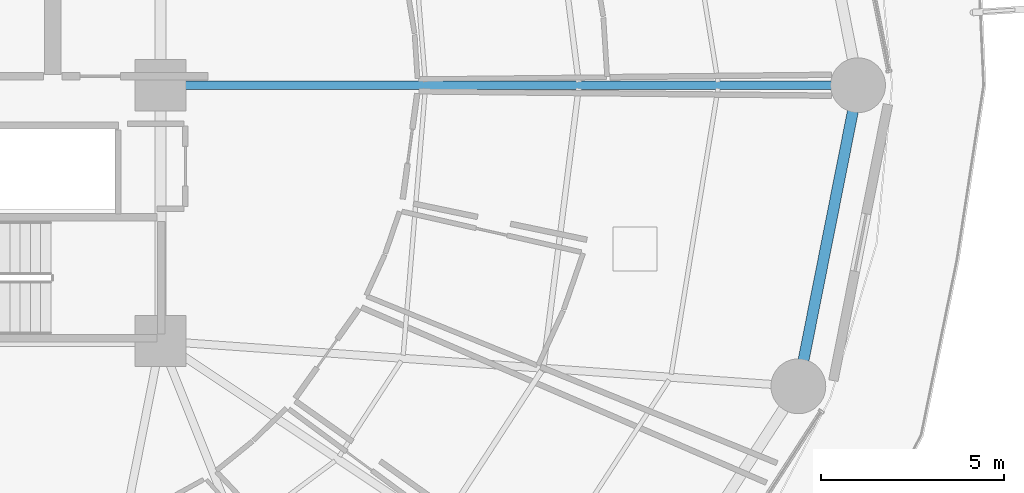
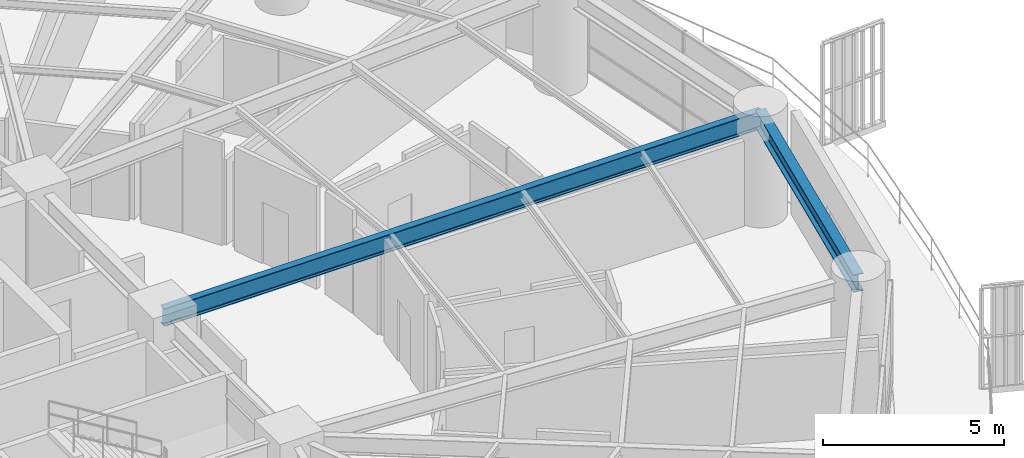
# One storey, part 13 of 33: 2 beams.
"""IFC4 building model written with IfcOpenShell, lengths in metres."""

import ifcopenshell
import ifcopenshell.guid

model = None  # the IFC model being written
_history = None  # IfcOwnerHistory: only IFC2X3 demands one
_inside = {}  # id of a spatial element -> (the spatial element, [elements in it])
_under = {}  # id of a project, library or spatial element -> (it, [spatial elements below it])
_declared = {}  # id of a project -> (the project, [libraries it declares])
_typed = {}  # id of a type object -> (the type object, [elements of that type])
_made_of = {}  # id of a material, layer set ... -> (it, [elements and type objects made of it])


def new_model(schema):
    """Start an empty IFC model of exactly this schema.

    Asked for "IFC4X3", IfcOpenShell would pick the latest addendum, in which some entities
    have other attributes; the version numbers below select the first issue.
    IFC2X3 requires an IfcOwnerHistory on every rooted entity: one is made here for all.
    """
    global model, _history
    if schema == "IFC4X3":
        model = ifcopenshell.file(schema_version=(4, 3, 0, 0))
    else:
        model = ifcopenshell.file(schema=schema)
    _inside.clear()
    _under.clear()
    _declared.clear()
    _typed.clear()
    _made_of.clear()
    _history = None
    if model.schema == "IFC2X3":
        org = make("IfcOrganization", Name="unknown")
        user = make(
            "IfcPersonAndOrganization",
            ThePerson=make("IfcPerson", FamilyName="unknown"),
            TheOrganization=org,
        )
        app = make(
            "IfcApplication",
            ApplicationDeveloper=org,
            Version="unknown",
            ApplicationFullName="unknown",
            ApplicationIdentifier="unknown",
        )
        _history = make(
            "IfcOwnerHistory",
            OwningUser=user,
            OwningApplication=app,
            ChangeAction="ADDED",
            CreationDate=0,
        )
    return model


def make(cls, **values):
    """One entity of the class cls with the attributes given. An attribute that is None is left unset."""
    return model.create_entity(
        cls, **{name: value for name, value in values.items() if value is not None}
    )


def rooted(cls, **values):
    """An entity with a GlobalId (a new one), such as an element, a storey or a relation."""
    return make(cls, GlobalId=ifcopenshell.guid.new(), OwnerHistory=_history, **values)


def si_unit(unit_type, name, prefix=None):
    """IfcSIUnit, for example si_unit("LENGTHUNIT", "METRE", prefix="MILLI")."""
    return make("IfcSIUnit", UnitType=unit_type, Prefix=prefix, Name=name)


def assignment(units):
    """IfcUnitAssignment: the units of a project."""
    return None if units is None else make("IfcUnitAssignment", Units=units)


def point(xyz):
    """IfcCartesianPoint."""
    return None if xyz is None else make("IfcCartesianPoint", Coordinates=xyz)


def direction(xyz):
    """IfcDirection."""
    return None if xyz is None else make("IfcDirection", DirectionRatios=xyz)


def frame(location, z_axis=None, x_axis=None):
    """IfcAxis2Placement3D, a coordinate frame: its origin and axes. An axis left out is left unset."""
    return make(
        "IfcAxis2Placement3D",
        Location=point(location),
        Axis=direction(z_axis),
        RefDirection=direction(x_axis),
    )


def frame_2d(location, x_axis=None):
    """IfcAxis2Placement2D, a coordinate frame in the plane: its origin and x axis."""
    return make(
        "IfcAxis2Placement2D", Location=point(location), RefDirection=direction(x_axis)
    )


def origin():
    """The frame at (0, 0, 0) with its axes left unset."""
    return frame((0.0, 0.0, 0.0))


def origin_2d():
    """The frame at (0, 0) in the plane with its x axis left unset."""
    return frame_2d((0.0, 0.0))


def place(relative_to, where):
    """IfcLocalPlacement: puts the frame where relative to a parent placement (None: the world)."""
    return make(
        "IfcLocalPlacement", PlacementRelTo=relative_to, RelativePlacement=where
    )


def context(
    kind, dimensions, precision=None, world=None, true_north=None, identifier=None
):
    """IfcGeometricRepresentationContext, for example the 3D "Model" context."""
    return make(
        "IfcGeometricRepresentationContext",
        ContextIdentifier=identifier,
        ContextType=kind,
        CoordinateSpaceDimension=dimensions,
        Precision=precision,
        WorldCoordinateSystem=world,
        TrueNorth=true_north,
    )


def subcontext(parent, identifier, kind, view, scale=None):
    """IfcGeometricRepresentationSubContext, for example "Body" below "Model"."""
    return make(
        "IfcGeometricRepresentationSubContext",
        ContextIdentifier=identifier,
        ContextType=kind,
        ParentContext=parent,
        TargetScale=scale,
        TargetView=view,
    )


def project(units=None, contexts=None):
    """IfcProject with its units and contexts."""
    return rooted(
        "IfcProject",
        Name="project",
        RepresentationContexts=contexts,
        UnitsInContext=assignment(units),
    )


def spatial(cls, under=None, at=None, **own):
    """A site, building, storey or space (cls), placed at a placement, below another one or the project."""
    s = rooted(cls, ObjectPlacement=at, **own)
    if under is not None:
        _under.setdefault(under.id(), (under, []))[1].append(s)
    return s


def profile(cls, at=None, kind="AREA", **sizes):
    """A parametric profile (cls). Its sizes go by their IFC names, for example OverallWidth=200.0."""
    return make(cls, ProfileType=kind, Position=at, **sizes)


def i_section(**sizes):
    """IfcIShapeProfileDef."""
    return profile("IfcIShapeProfileDef", **sizes)


def extrude(swept, where, along, depth):
    """IfcExtrudedAreaSolid: the profile swept, set in the frame where, extruded along a direction by depth."""
    return make(
        "IfcExtrudedAreaSolid",
        SweptArea=swept,
        Position=where,
        ExtrudedDirection=direction(along),
        Depth=depth,
    )


def shape(context_of_items, identifier, shape_type, items):
    """IfcShapeRepresentation: the items that make up one representation, for example the "Body"."""
    return make(
        "IfcShapeRepresentation",
        ContextOfItems=context_of_items,
        RepresentationIdentifier=identifier,
        RepresentationType=shape_type,
        Items=items,
    )


def material(Name=None, Category=None):
    """IfcMaterial."""
    return make("IfcMaterial", Name=Name, Category=Category)


def material_profile(
    of_material, cross_section, Name=None, Category=None, Priority=None
):
    """IfcMaterialProfile: a cross section and its material."""
    return make(
        "IfcMaterialProfile",
        Name=Name,
        Material=of_material,
        Profile=cross_section,
        Priority=Priority,
        Category=Category,
    )


def profile_set(profiles, Name=None, composite=None):
    """IfcMaterialProfileSet."""
    return make(
        "IfcMaterialProfileSet",
        Name=Name,
        MaterialProfiles=profiles,
        CompositeProfile=composite,
    )


def made_of(thing, what):
    """Note that an element or type object is made of a material, layer set ...; save() writes the relation."""
    if what is not None:
        _made_of.setdefault(what.id(), (what, []))[1].append(thing)
    return thing


def type_object(cls, material=None, **own):
    """A type object (cls), such as IfcWallType, which elements share."""
    return made_of(rooted(cls, **own), material)


def element(
    cls,
    number,
    at=None,
    inside=None,
    cuts=None,
    type_object=None,
    material=None,
    context=None,
    identifier="Body",
    shape_type=None,
    held_by="IfcProductDefinitionShape",
    body=None,
    shapes=None,
    **own,
):
    """One element of the class cls, such as IfcWall. Its Tag is "e" and its number.

    at: its placement. inside: the storey or other place that contains it. cuts: it is an
    opening in that element (IfcRelVoidsElement). A single representation is given by context,
    identifier, shape_type and body (its items); several are given by shapes. held_by: the class
    of the entity that holds the representations. save() writes the other relations.
    """
    e = rooted(cls, Tag="e%d" % number, ObjectPlacement=at, **own)
    if body is not None:
        shapes = [shape(context, identifier, shape_type, body)]
    if shapes is not None:
        e.Representation = make(held_by, Representations=shapes)
    if inside is not None:
        _inside.setdefault(inside.id(), (inside, []))[1].append(e)
    if cuts is not None:
        rooted(
            "IfcRelVoidsElement", RelatingBuildingElement=cuts, RelatedOpeningElement=e
        )
    if type_object is not None:
        _typed.setdefault(type_object.id(), (type_object, []))[1].append(e)
    return made_of(e, material)


def aggregate(whole, parts):
    """IfcRelAggregates: a whole, such as a stair, and the parts it consists of."""
    return rooted("IfcRelAggregates", RelatingObject=whole, RelatedObjects=parts)


def save(model, path):
    """Write the relations noted so far, then the file.

    IfcRelAggregates (storeys below a building ...), IfcRelContainedInSpatialStructure (elements
    in a storey), IfcRelDefinesByType, IfcRelAssociatesMaterial and IfcRelDeclares: one each for
    every whole, place, type object, material and project.
    """
    for whole, parts in _under.values():
        aggregate(whole, parts)
    for where, things in _inside.values():
        rooted(
            "IfcRelContainedInSpatialStructure",
            RelatedElements=things,
            RelatingStructure=where,
        )
    for kind, things in _typed.values():
        rooted("IfcRelDefinesByType", RelatedObjects=things, RelatingType=kind)
    for what, things in _made_of.values():
        rooted("IfcRelAssociatesMaterial", RelatedObjects=things, RelatingMaterial=what)
    for by, libraries in _declared.values():
        rooted("IfcRelDeclares", RelatingContext=by, RelatedDefinitions=libraries)
    model.write(path)


model = new_model("IFC4")

# Units and contexts
model_context = context("Model", 3, precision=1e-05, world=origin(), true_north=direction((0.0, 1.0)))
body_context = subcontext(model_context, "Body", "Model", "MODEL_VIEW")
ifc_project = project(units=[si_unit("LENGTHUNIT", "METRE"), si_unit("AREAUNIT", "SQUARE_METRE"), si_unit("VOLUMEUNIT", "CUBIC_METRE"), si_unit("PLANEANGLEUNIT", "RADIAN"), si_unit("MASSUNIT", "GRAM", prefix="KILO")], contexts=[model_context])

# Site, building, storey
site_placement = place(None, origin())
site = spatial("IfcSite", under=ifc_project, at=site_placement, CompositionType="ELEMENT")
building_placement = place(site_placement, origin())
building = spatial("IfcBuilding", under=site, at=building_placement, Name="Kelanora Arch Commons", CompositionType="ELEMENT")
storey_placement = place(building_placement, frame((0.0, 0.0, 26.25)))
storey = spatial("IfcBuildingStorey", under=building, at=storey_placement, Name="L06", CompositionType="ELEMENT", Elevation=26.25)

# Beams
ifc_material = material(Name="Steel S355", Category="steel")
ifc_material_profile_1 = material_profile(ifc_material, i_section(OverallWidth=0.219970703125, OverallDepth=0.60009765625, WebThickness=0.011962890625, FlangeThickness=0.01904296875, FilletRadius=0.02392578125, at=origin_2d()), Name="IPE600")
ifc_profile_set_1 = profile_set([ifc_material_profile_1], Name="Steel S355")
beam_type_1 = type_object("IfcBeamType", Name="BM-RAD-Z1", PredefinedType="BEAM", material=ifc_profile_set_1)
beam_1_placement = place(storey_placement, frame((82.0, 58.0, 3.18994140625), z_axis=(1.0, 0.0, 0.0), x_axis=(0.0, 1.0, 0.0)))
element("IfcBeam", 1, at=beam_1_placement, inside=storey, type_object=beam_type_1, Name="Radial Floor Girder BR-00 L06", PredefinedType="BEAM", context=body_context, shape_type="SweptSolid", body=[
    extrude(i_section(OverallWidth=0.219970703125, OverallDepth=0.60009765625, WebThickness=0.011962890625, FlangeThickness=0.01904296875, FilletRadius=0.02392578125, at=origin_2d()), origin(), (0.0, 0.0, 1.0), 19.080078125),
])
ifc_material_profile_2 = material_profile(ifc_material, i_section(OverallWidth=0.300048828125, OverallDepth=0.60009765625, WebThickness=0.015380859375, FlangeThickness=0.030029296875, FilletRadius=0.027099609375, at=origin_2d()), Name="HEB600")
ifc_profile_set_2 = profile_set([ifc_material_profile_2], Name="Steel S355")
beam_type_2 = type_object("IfcBeamType", Name="BM-SPN-Z1", PredefinedType="SPANDREL", material=ifc_profile_set_2)
beam_2_placement = place(storey_placement, frame((99.447021484375, 49.76416015625, 3.18994140625), z_axis=(0.194499827256, 0.980902552345, 0.0), x_axis=(-0.980902552345, 0.194499827256, 0.0)))
element("IfcBeam", 2, at=beam_2_placement, inside=storey, type_object=beam_type_2, Name="Perimeter Spandrel Beam BS-34 L06", PredefinedType="SPANDREL", context=body_context, shape_type="SweptSolid", body=[
    extrude(i_section(OverallWidth=0.300048828125, OverallDepth=0.60009765625, WebThickness=0.015380859375, FlangeThickness=0.030029296875, FilletRadius=0.027099609375, at=origin_2d()), origin(), (0.0, 0.0, 1.0), 8.396240234375),
])

save(model, "model.ifc")
